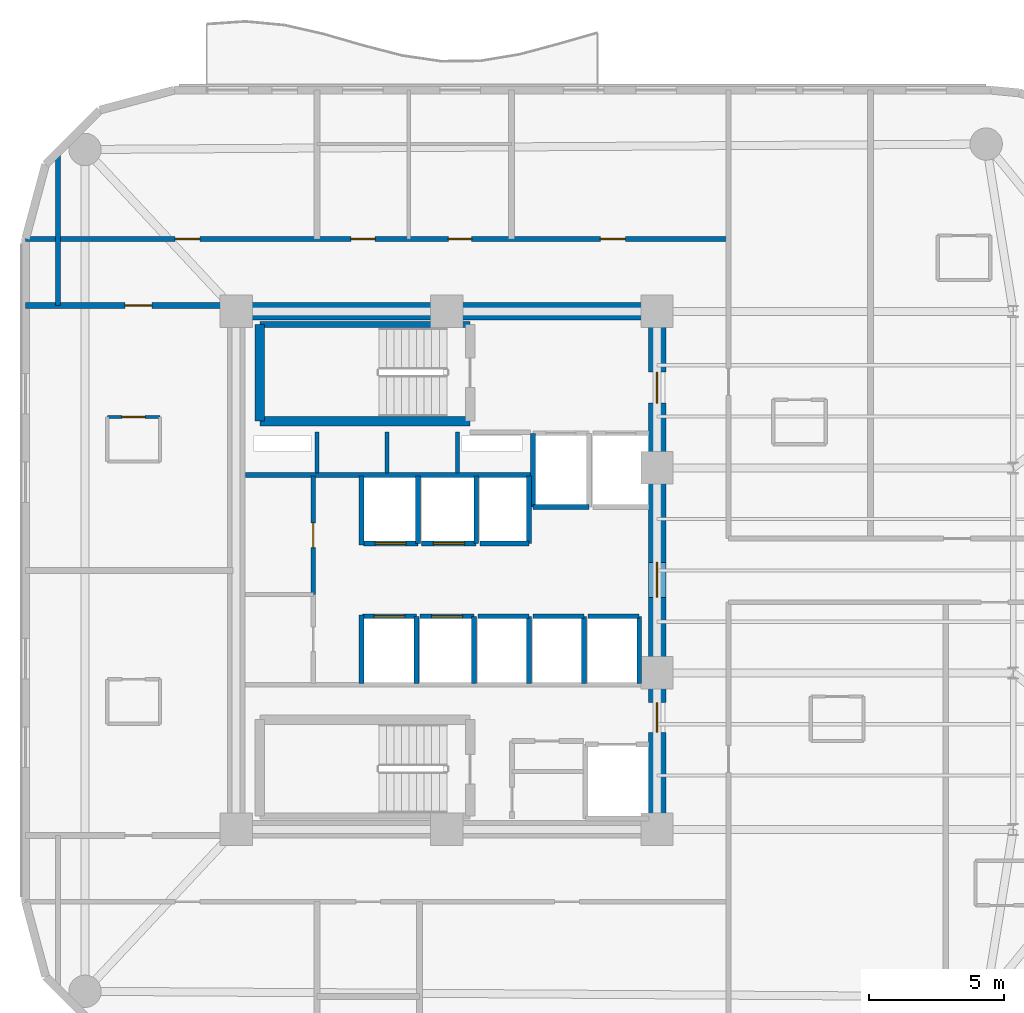
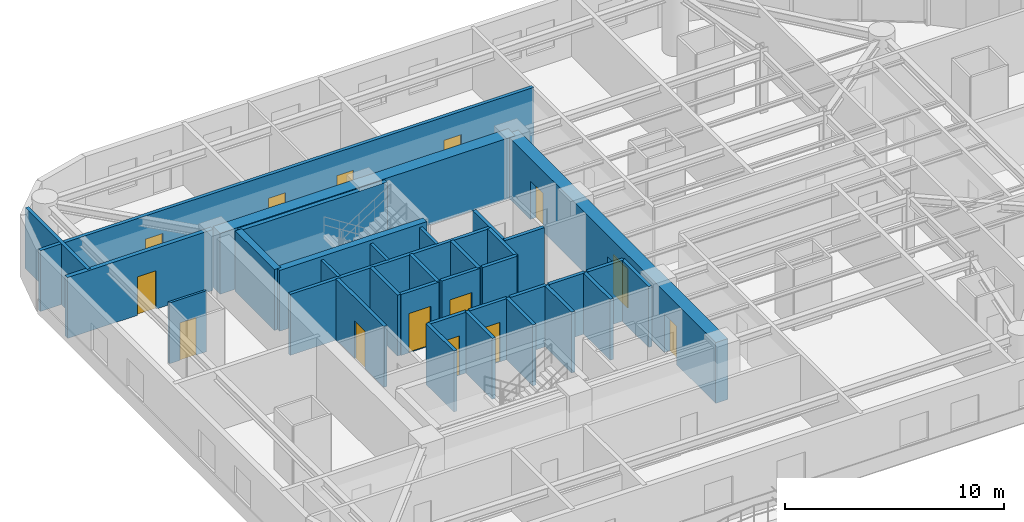
# One storey, part 11 of 15: 34 walls, 14 doors, 14 openings.
"""IFC4 building model written with IfcOpenShell, lengths in metres."""

import ifcopenshell
import ifcopenshell.guid

model = None  # the IFC model being written
_history = None  # IfcOwnerHistory: only IFC2X3 demands one
_inside = {}  # id of a spatial element -> (the spatial element, [elements in it])
_under = {}  # id of a project, library or spatial element -> (it, [spatial elements below it])
_declared = {}  # id of a project -> (the project, [libraries it declares])
_typed = {}  # id of a type object -> (the type object, [elements of that type])
_made_of = {}  # id of a material, layer set ... -> (it, [elements and type objects made of it])


def new_model(schema):
    """Start an empty IFC model of exactly this schema.

    Asked for "IFC4X3", IfcOpenShell would pick the latest addendum, in which some entities
    have other attributes; the version numbers below select the first issue.
    IFC2X3 requires an IfcOwnerHistory on every rooted entity: one is made here for all.
    """
    global model, _history
    if schema == "IFC4X3":
        model = ifcopenshell.file(schema_version=(4, 3, 0, 0))
    else:
        model = ifcopenshell.file(schema=schema)
    _inside.clear()
    _under.clear()
    _declared.clear()
    _typed.clear()
    _made_of.clear()
    _history = None
    if model.schema == "IFC2X3":
        org = make("IfcOrganization", Name="unknown")
        user = make(
            "IfcPersonAndOrganization",
            ThePerson=make("IfcPerson", FamilyName="unknown"),
            TheOrganization=org,
        )
        app = make(
            "IfcApplication",
            ApplicationDeveloper=org,
            Version="unknown",
            ApplicationFullName="unknown",
            ApplicationIdentifier="unknown",
        )
        _history = make(
            "IfcOwnerHistory",
            OwningUser=user,
            OwningApplication=app,
            ChangeAction="ADDED",
            CreationDate=0,
        )
    return model


def make(cls, **values):
    """One entity of the class cls with the attributes given. An attribute that is None is left unset."""
    return model.create_entity(
        cls, **{name: value for name, value in values.items() if value is not None}
    )


def rooted(cls, **values):
    """An entity with a GlobalId (a new one), such as an element, a storey or a relation."""
    return make(cls, GlobalId=ifcopenshell.guid.new(), OwnerHistory=_history, **values)


def si_unit(unit_type, name, prefix=None):
    """IfcSIUnit, for example si_unit("LENGTHUNIT", "METRE", prefix="MILLI")."""
    return make("IfcSIUnit", UnitType=unit_type, Prefix=prefix, Name=name)


def assignment(units):
    """IfcUnitAssignment: the units of a project."""
    return None if units is None else make("IfcUnitAssignment", Units=units)


def point(xyz):
    """IfcCartesianPoint."""
    return None if xyz is None else make("IfcCartesianPoint", Coordinates=xyz)


def direction(xyz):
    """IfcDirection."""
    return None if xyz is None else make("IfcDirection", DirectionRatios=xyz)


def frame(location, z_axis=None, x_axis=None):
    """IfcAxis2Placement3D, a coordinate frame: its origin and axes. An axis left out is left unset."""
    return make(
        "IfcAxis2Placement3D",
        Location=point(location),
        Axis=direction(z_axis),
        RefDirection=direction(x_axis),
    )


def frame_2d(location, x_axis=None):
    """IfcAxis2Placement2D, a coordinate frame in the plane: its origin and x axis."""
    return make(
        "IfcAxis2Placement2D", Location=point(location), RefDirection=direction(x_axis)
    )


def origin():
    """The frame at (0, 0, 0) with its axes left unset."""
    return frame((0.0, 0.0, 0.0))


def place(relative_to, where):
    """IfcLocalPlacement: puts the frame where relative to a parent placement (None: the world)."""
    return make(
        "IfcLocalPlacement", PlacementRelTo=relative_to, RelativePlacement=where
    )


def context(
    kind, dimensions, precision=None, world=None, true_north=None, identifier=None
):
    """IfcGeometricRepresentationContext, for example the 3D "Model" context."""
    return make(
        "IfcGeometricRepresentationContext",
        ContextIdentifier=identifier,
        ContextType=kind,
        CoordinateSpaceDimension=dimensions,
        Precision=precision,
        WorldCoordinateSystem=world,
        TrueNorth=true_north,
    )


def subcontext(parent, identifier, kind, view, scale=None):
    """IfcGeometricRepresentationSubContext, for example "Body" below "Model"."""
    return make(
        "IfcGeometricRepresentationSubContext",
        ContextIdentifier=identifier,
        ContextType=kind,
        ParentContext=parent,
        TargetScale=scale,
        TargetView=view,
    )


def project(units=None, contexts=None):
    """IfcProject with its units and contexts."""
    return rooted(
        "IfcProject",
        Name="project",
        RepresentationContexts=contexts,
        UnitsInContext=assignment(units),
    )


def spatial(cls, under=None, at=None, **own):
    """A site, building, storey or space (cls), placed at a placement, below another one or the project."""
    s = rooted(cls, ObjectPlacement=at, **own)
    if under is not None:
        _under.setdefault(under.id(), (under, []))[1].append(s)
    return s


def profile(cls, at=None, kind="AREA", **sizes):
    """A parametric profile (cls). Its sizes go by their IFC names, for example OverallWidth=200.0."""
    return make(cls, ProfileType=kind, Position=at, **sizes)


def rectangle(**sizes):
    """IfcRectangleProfileDef."""
    return profile("IfcRectangleProfileDef", **sizes)


def extrude(swept, where, along, depth):
    """IfcExtrudedAreaSolid: the profile swept, set in the frame where, extruded along a direction by depth."""
    return make(
        "IfcExtrudedAreaSolid",
        SweptArea=swept,
        Position=where,
        ExtrudedDirection=direction(along),
        Depth=depth,
    )


def shape(context_of_items, identifier, shape_type, items):
    """IfcShapeRepresentation: the items that make up one representation, for example the "Body"."""
    return make(
        "IfcShapeRepresentation",
        ContextOfItems=context_of_items,
        RepresentationIdentifier=identifier,
        RepresentationType=shape_type,
        Items=items,
    )


def material(Name=None, Category=None):
    """IfcMaterial."""
    return make("IfcMaterial", Name=Name, Category=Category)


def layer(
    of_material, thickness, ventilated=None, Name=None, Category=None, Priority=None
):
    """IfcMaterialLayer: one layer of a wall or slab, of a material (None: an air gap)."""
    return make(
        "IfcMaterialLayer",
        Material=of_material,
        LayerThickness=thickness,
        IsVentilated=ventilated,
        Name=Name,
        Category=Category,
        Priority=Priority,
    )


def layer_set(layers, Name=None):
    """IfcMaterialLayerSet."""
    return make("IfcMaterialLayerSet", MaterialLayers=layers, LayerSetName=Name)


def made_of(thing, what):
    """Note that an element or type object is made of a material, layer set ...; save() writes the relation."""
    if what is not None:
        _made_of.setdefault(what.id(), (what, []))[1].append(thing)
    return thing


def type_object(cls, material=None, **own):
    """A type object (cls), such as IfcWallType, which elements share."""
    return made_of(rooted(cls, **own), material)


def element(
    cls,
    number,
    at=None,
    inside=None,
    cuts=None,
    type_object=None,
    material=None,
    context=None,
    identifier="Body",
    shape_type=None,
    held_by="IfcProductDefinitionShape",
    body=None,
    shapes=None,
    **own,
):
    """One element of the class cls, such as IfcWall. Its Tag is "e" and its number.

    at: its placement. inside: the storey or other place that contains it. cuts: it is an
    opening in that element (IfcRelVoidsElement). A single representation is given by context,
    identifier, shape_type and body (its items); several are given by shapes. held_by: the class
    of the entity that holds the representations. save() writes the other relations.
    """
    e = rooted(cls, Tag="e%d" % number, ObjectPlacement=at, **own)
    if body is not None:
        shapes = [shape(context, identifier, shape_type, body)]
    if shapes is not None:
        e.Representation = make(held_by, Representations=shapes)
    if inside is not None:
        _inside.setdefault(inside.id(), (inside, []))[1].append(e)
    if cuts is not None:
        rooted(
            "IfcRelVoidsElement", RelatingBuildingElement=cuts, RelatedOpeningElement=e
        )
    if type_object is not None:
        _typed.setdefault(type_object.id(), (type_object, []))[1].append(e)
    return made_of(e, material)


def fill(opening, filler):
    """IfcRelFillsElement: the door or window that sits in an opening."""
    return rooted(
        "IfcRelFillsElement",
        RelatingOpeningElement=opening,
        RelatedBuildingElement=filler,
    )


def aggregate(whole, parts):
    """IfcRelAggregates: a whole, such as a stair, and the parts it consists of."""
    return rooted("IfcRelAggregates", RelatingObject=whole, RelatedObjects=parts)


def save(model, path):
    """Write the relations noted so far, then the file.

    IfcRelAggregates (storeys below a building ...), IfcRelContainedInSpatialStructure (elements
    in a storey), IfcRelDefinesByType, IfcRelAssociatesMaterial and IfcRelDeclares: one each for
    every whole, place, type object, material and project.
    """
    for whole, parts in _under.values():
        aggregate(whole, parts)
    for where, things in _inside.values():
        rooted(
            "IfcRelContainedInSpatialStructure",
            RelatedElements=things,
            RelatingStructure=where,
        )
    for kind, things in _typed.values():
        rooted("IfcRelDefinesByType", RelatedObjects=things, RelatingType=kind)
    for what, things in _made_of.values():
        rooted("IfcRelAssociatesMaterial", RelatedObjects=things, RelatingMaterial=what)
    for by, libraries in _declared.values():
        rooted("IfcRelDeclares", RelatingContext=by, RelatedDefinitions=libraries)
    model.write(path)


model = new_model("IFC4")

# Units and contexts
model_context = context("Model", 3, precision=1e-05, world=origin(), true_north=direction((0.0, 1.0)))
body_context = subcontext(model_context, "Body", "Model", "MODEL_VIEW")
ifc_project = project(units=[si_unit("LENGTHUNIT", "METRE"), si_unit("AREAUNIT", "SQUARE_METRE"), si_unit("VOLUMEUNIT", "CUBIC_METRE"), si_unit("PLANEANGLEUNIT", "RADIAN"), si_unit("MASSUNIT", "GRAM", prefix="KILO")], contexts=[model_context])

# Site, building, storey
site_placement = place(None, origin())
site = spatial("IfcSite", under=ifc_project, at=site_placement, CompositionType="ELEMENT")
building_placement = place(site_placement, origin())
building = spatial("IfcBuilding", under=site, at=building_placement, Name="An Khanh Terracotta Commons", CompositionType="ELEMENT")
storey_placement = place(building_placement, frame((0.0, 0.0, 147.39990234375)))
storey = spatial("IfcBuildingStorey", under=building, at=storey_placement, Name="L38", CompositionType="ELEMENT", Elevation=147.39990234375)

# Wall
ifc_material_1 = material(Name="Concrete C60/75", Category="concrete")
ifc_layer_1 = layer(ifc_material_1, 0.64990234375, Name="Concrete C60/75")
ifc_layer_set_1 = layer_set([ifc_layer_1], Name="Concrete C60/75")
wall_type_1 = type_object("IfcWallType", Name="WALL-CORE-650", PredefinedType="SHEAR", material=ifc_layer_set_1)
wall_1_placement = place(storey_placement, frame((21.60009765625, 33.60009765625, 0.0), z_axis=(0.0, 0.0, 1.0), x_axis=(1.0, 0.0, 0.0)))
element("IfcWall", 1, at=wall_1_placement, inside=storey, type_object=wall_type_1, Name="L38 Core Wall CWALL-L38-N", PredefinedType="SHEAR", context=body_context, shape_type="SweptSolid", body=[
    extrude(rectangle(XDim=15.599853515625, YDim=0.64990234375, at=frame_2d((7.7998046875, 0.0))), origin(), (0.0, 0.0, 1.0), 3.400146484375),
])

# Wall, openings, doors
wall_2_placement = place(storey_placement, frame((37.199951171875, 14.39990234375, 0.0), z_axis=(0.0, 0.0, 1.0), x_axis=(0.0, 1.0, 0.0)))
wall_2 = element("IfcWall", 2, at=wall_2_placement, inside=storey, type_object=wall_type_1, Name="L38 Core Wall CWALL-L38-E", PredefinedType="SHEAR", context=body_context, shape_type="SweptSolid", body=[
    extrude(rectangle(XDim=19.2001953125, YDim=0.64990234375, at=frame_2d((9.60009765625, 0.0))), origin(), (0.0, 0.0, 1.0), 3.400146484375),
])
opening_1_placement = place(wall_2_placement, frame((15.800048828125, 0.0, 0.0)))
opening_1 = element("IfcOpeningElement", 3, at=opening_1_placement, cuts=wall_2, Name="Opening D-FFL", PredefinedType="OPENING", context=body_context, shape_type="SweptSolid", body=[
    extrude(rectangle(XDim=1.14990234375, YDim=2.14990234375, at=frame_2d((0.574951171875, 1.074951171875))), frame((0.0, 0.3349609375, 0.0), z_axis=(0.0, -1.0, 0.0), x_axis=(1.0, 0.0, 0.0)), (0.0, 0.0, 1.0), 0.669921875),
])
opening_2_placement = place(wall_2_placement, frame((3.60009765625, 0.0, 0.0)))
opening_2 = element("IfcOpeningElement", 4, at=opening_2_placement, cuts=wall_2, Name="Opening D-ST", PredefinedType="OPENING", context=body_context, shape_type="SweptSolid", body=[
    extrude(rectangle(XDim=1.10009765625, YDim=2.14990234375, at=frame_2d((0.550048828125, 1.074951171875))), frame((0.0, 0.3349609375, 0.0), z_axis=(0.0, -1.0, 0.0), x_axis=(1.0, 0.0, 0.0)), (0.0, 0.0, 1.0), 0.669921875),
])
opening_3_placement = place(wall_2_placement, frame((8.60009765625, 0.0, 0.0)))
opening_3 = element("IfcOpeningElement", 5, at=opening_3_placement, cuts=wall_2, Name="Opening D-COR", PredefinedType="OPENING", context=body_context, shape_type="SweptSolid", body=[
    extrude(rectangle(XDim=1.300048828125, YDim=2.199951171875, at=frame_2d((0.64990234375, 1.10009765625))), frame((0.0, 0.3349609375, 0.0), z_axis=(0.0, -1.0, 0.0), x_axis=(1.0, 0.0, 0.0)), (0.0, 0.0, 1.0), 0.669921875),
])
ifc_material_2 = material(Name="Fire-Rated Glazed Steel Double Door", Category="steel")
door_type_1 = type_object("IfcDoorType", Name="DOOR-CORR-1300", OperationType="NOTDEFINED", PredefinedType="DOOR", material=ifc_material_2)
door_1_placement = place(opening_3_placement, origin())
door_1 = element("IfcDoor", 6, at=door_1_placement, inside=storey, type_object=door_type_1, Name="L38 Passenger Lift Lobby Double Door", OperationType="DOUBLE_DOOR_SINGLE_SWING", OverallHeight=2.199951171875, OverallWidth=1.300048828125, PredefinedType="DOOR", context=body_context, shape_type="SweptSolid", body=[
    extrude(rectangle(XDim=1.300048828125, YDim=2.199951171875, at=frame_2d((0.64990234375, 1.10009765625))), frame((0.0, 0.02490234375, 0.0), z_axis=(0.0, -1.0, 0.0), x_axis=(1.0, 0.0, 0.0)), (0.0, 0.0, 1.0), 0.050048828125),
])
fill(opening_3, door_1)
ifc_material_3 = material(Name="Fire-Rated Steel Leaf and Vision Panel", Category="steel")
door_type_2 = type_object("IfcDoorType", Name="DOOR-FFL-1150", OperationType="NOTDEFINED", PredefinedType="DOOR", material=ifc_material_3)
door_2_placement = place(opening_1_placement, origin())
door_2 = element("IfcDoor", 7, at=door_2_placement, inside=storey, type_object=door_type_2, Name="L38 Firefighting Lift Lobby Fire Door", OperationType="SINGLE_SWING_LEFT", OverallHeight=2.14990234375, OverallWidth=1.14990234375, PredefinedType="DOOR", context=body_context, shape_type="SweptSolid", body=[
    extrude(rectangle(XDim=1.14990234375, YDim=2.14990234375, at=frame_2d((0.574951171875, 1.074951171875))), frame((0.0, 0.02490234375, 0.0), z_axis=(0.0, -1.0, 0.0), x_axis=(1.0, 0.0, 0.0)), (0.0, 0.0, 1.0), 0.050048828125),
])
fill(opening_1, door_2)
ifc_material_4 = material(Name="Fire-Rated Steel Leaf and Frame", Category="steel")
door_type_3 = type_object("IfcDoorType", Name="DOOR-STAIR-1100", OperationType="NOTDEFINED", PredefinedType="DOOR", material=ifc_material_4)
door_3_placement = place(opening_2_placement, origin())
door_3 = element("IfcDoor", 8, at=door_3_placement, inside=storey, type_object=door_type_3, Name="L38 South Stair Lobby Fire Door", OperationType="SINGLE_SWING_RIGHT", OverallHeight=2.14990234375, OverallWidth=1.10009765625, PredefinedType="DOOR", context=body_context, shape_type="SweptSolid", body=[
    extrude(rectangle(XDim=1.10009765625, YDim=2.14990234375, at=frame_2d((0.550048828125, 1.074951171875))), frame((0.0, 0.02490234375, 0.0), z_axis=(0.0, -1.0, 0.0), x_axis=(1.0, 0.0, 0.0)), (0.0, 0.0, 1.0), 0.050048828125),
])
fill(opening_2, door_3)

# Walls
ifc_material_5 = material(Name="Fire-Rated Gypsum Board on Steel Stud", Category="steel")
ifc_layer_2 = layer(ifc_material_5, 0.179931640625, Name="Fire-Rated Gypsum Board on Steel Stud")
ifc_layer_set_2 = layer_set([ifc_layer_2], Name="Fire-Rated Gypsum Board on Steel Stud")
wall_type_2 = type_object("IfcWallType", Name="WALL-CORR-180", PredefinedType="PARTITIONING", material=ifc_layer_set_2)
wall_3_placement = place(storey_placement, frame((21.949951171875, 27.5400390625, 0.0), z_axis=(0.0, 0.0, 1.0), x_axis=(1.0, 0.0, 0.0)))
element("IfcWall", 9, at=wall_3_placement, inside=storey, type_object=wall_type_2, Name="L38 Core Wall RSRW-L38-S", PredefinedType="PARTITIONING", context=body_context, shape_type="SweptSolid", body=[
    extrude(rectangle(XDim=10.56005859375, YDim=0.179931640625, at=frame_2d((5.280029296875, 0.0))), origin(), (0.0, 0.0, 1.0), 3.400146484375),
])
wall_4_placement = place(storey_placement, frame((34.679931640625, 26.35009765625, 0.0), z_axis=(0.0, 0.0, 1.0), x_axis=(-1.0, 0.0, 0.0)))
element("IfcWall", 10, at=wall_4_placement, inside=storey, type_object=wall_type_2, Name="L38 Core Wall LSH-L38-FFL-01-S", PredefinedType="PARTITIONING", context=body_context, shape_type="SweptSolid", body=[
    extrude(rectangle(XDim=2.079833984375, YDim=0.179931640625, at=frame_2d((1.0400390625, 0.0))), origin(), (0.0, 0.0, 1.0), 3.400146484375),
])
wall_5_placement = place(storey_placement, frame((32.60009765625, 29.080078125, 0.0), z_axis=(0.0, 0.0, 1.0), x_axis=(0.0, -1.0, 0.0)))
element("IfcWall", 11, at=wall_5_placement, inside=storey, type_object=wall_type_2, Name="L38 Core Wall LSH-L38-FFL-01-W", PredefinedType="PARTITIONING", context=body_context, shape_type="SweptSolid", body=[
    extrude(rectangle(XDim=2.72998046875, YDim=0.179931640625, at=frame_2d((1.364990234375, 0.0))), origin(), (0.0, 0.0, 1.0), 3.400146484375),
])

# Wall, opening, door
wall_6_placement = place(storey_placement, frame((28.340087890625, 25.0, 0.0), z_axis=(0.0, 0.0, 1.0), x_axis=(-1.0, 0.0, 0.0)))
wall_6 = element("IfcWall", 12, at=wall_6_placement, inside=storey, type_object=wall_type_2, Name="L38 Core Wall LSH-L38-PL-M1-S", PredefinedType="PARTITIONING", context=body_context, shape_type="SweptSolid", body=[
    extrude(rectangle(XDim=2.02001953125, YDim=0.179931640625, at=frame_2d((1.010009765625, 0.0))), origin(), (0.0, 0.0, 1.0), 3.400146484375),
])
opening_4_placement = place(wall_6_placement, frame((0.43505859375, 0.0, 0.0)))
opening_4 = element("IfcOpeningElement", 13, at=opening_4_placement, cuts=wall_6, Name="Opening LD-PL-M1-L38", PredefinedType="OPENING", context=body_context, shape_type="SweptSolid", body=[
    extrude(rectangle(XDim=1.14990234375, YDim=2.199951171875, at=frame_2d((0.574951171875, 1.10009765625))), frame((0.0, 0.099853515625, 0.0), z_axis=(0.0, -1.0, 0.0), x_axis=(1.0, 0.0, 0.0)), (0.0, 0.0, 1.0), 0.199951171875),
])
ifc_material_6 = material(Name="Brushed Stainless Steel Passenger Landing Door", Category="steel")
door_type_4 = type_object("IfcDoorType", Name="DOOR-LD-PAX-1150", OperationType="NOTDEFINED", PredefinedType="DOOR", material=ifc_material_6)
door_4_placement = place(opening_4_placement, origin())
door_4 = element("IfcDoor", 14, at=door_4_placement, inside=storey, type_object=door_type_4, Name="L38 Lift PL-M1 Sliding Landing Door", OperationType="DOUBLE_DOOR_SLIDING", OverallHeight=2.199951171875, OverallWidth=1.14990234375, PredefinedType="DOOR", context=body_context, shape_type="SweptSolid", body=[
    extrude(rectangle(XDim=1.14990234375, YDim=2.199951171875, at=frame_2d((0.574951171875, 1.10009765625))), frame((0.0, 0.02490234375, 0.0), z_axis=(0.0, -1.0, 0.0), x_axis=(1.0, 0.0, 0.0)), (0.0, 0.0, 1.0), 0.050048828125),
])
fill(opening_4, door_4)

# Wall
wall_7_placement = place(storey_placement, frame((28.340087890625, 25.0, 0.0), z_axis=(0.0, 0.0, 1.0), x_axis=(0.0, 1.0, 0.0)))
element("IfcWall", 15, at=wall_7_placement, inside=storey, type_object=wall_type_2, Name="L38 Core Wall LSH-L38-PL-M1-E", PredefinedType="PARTITIONING", context=body_context, shape_type="SweptSolid", body=[
    extrude(rectangle(XDim=2.5, YDim=0.179931640625, at=frame_2d((1.25, 0.0))), origin(), (0.0, 0.0, 1.0), 3.400146484375),
])

# Wall, opening, door
wall_8_placement = place(storey_placement, frame((30.5, 25.0, 0.0), z_axis=(0.0, 0.0, 1.0), x_axis=(-1.0, 0.0, 0.0)))
wall_8 = element("IfcWall", 16, at=wall_8_placement, inside=storey, type_object=wall_type_2, Name="L38 Core Wall LSH-L38-PL-M2-S", PredefinedType="PARTITIONING", context=body_context, shape_type="SweptSolid", body=[
    extrude(rectangle(XDim=2.02001953125, YDim=0.179931640625, at=frame_2d((1.010009765625, 0.0))), origin(), (0.0, 0.0, 1.0), 3.400146484375),
])
opening_5_placement = place(wall_8_placement, frame((0.43505859375, 0.0, 0.0)))
opening_5 = element("IfcOpeningElement", 17, at=opening_5_placement, cuts=wall_8, Name="Opening LD-PL-M2-L38", PredefinedType="OPENING", context=body_context, shape_type="SweptSolid", body=[
    extrude(rectangle(XDim=1.14990234375, YDim=2.199951171875, at=frame_2d((0.574951171875, 1.10009765625))), frame((0.0, 0.099853515625, 0.0), z_axis=(0.0, -1.0, 0.0), x_axis=(1.0, 0.0, 0.0)), (0.0, 0.0, 1.0), 0.199951171875),
])
door_5_placement = place(opening_5_placement, origin())
door_5 = element("IfcDoor", 18, at=door_5_placement, inside=storey, type_object=door_type_4, Name="L38 Lift PL-M2 Sliding Landing Door", OperationType="DOUBLE_DOOR_SLIDING", OverallHeight=2.199951171875, OverallWidth=1.14990234375, PredefinedType="DOOR", context=body_context, shape_type="SweptSolid", body=[
    extrude(rectangle(XDim=1.14990234375, YDim=2.199951171875, at=frame_2d((0.574951171875, 1.10009765625))), frame((0.0, 0.02490234375, 0.0), z_axis=(0.0, -1.0, 0.0), x_axis=(1.0, 0.0, 0.0)), (0.0, 0.0, 1.0), 0.050048828125),
])
fill(opening_5, door_5)

# Wall
wall_9_placement = place(storey_placement, frame((30.5, 25.0, 0.0), z_axis=(0.0, 0.0, 1.0), x_axis=(0.0, 1.0, 0.0)))
element("IfcWall", 19, at=wall_9_placement, inside=storey, type_object=wall_type_2, Name="L38 Core Wall LSH-L38-PL-M2-E", PredefinedType="PARTITIONING", context=body_context, shape_type="SweptSolid", body=[
    extrude(rectangle(XDim=2.5, YDim=0.179931640625, at=frame_2d((1.25, 0.0))), origin(), (0.0, 0.0, 1.0), 3.400146484375),
])

# Wall, opening, door
wall_10_placement = place(storey_placement, frame((26.280029296875, 22.300048828125, 0.0), z_axis=(0.0, 0.0, 1.0), x_axis=(1.0, 0.0, 0.0)))
wall_10 = element("IfcWall", 20, at=wall_10_placement, inside=storey, type_object=wall_type_2, Name="L38 Core Wall LSH-L38-PL-M3-N", PredefinedType="PARTITIONING", context=body_context, shape_type="SweptSolid", body=[
    extrude(rectangle(XDim=2.0, YDim=0.179931640625, at=frame_2d((1.0, 0.0))), origin(), (0.0, 0.0, 1.0), 3.400146484375),
])
opening_6_placement = place(wall_10_placement, frame((0.425048828125, 0.0, 0.0)))
opening_6 = element("IfcOpeningElement", 21, at=opening_6_placement, cuts=wall_10, Name="Opening LD-PL-M3-L38", PredefinedType="OPENING", context=body_context, shape_type="SweptSolid", body=[
    extrude(rectangle(XDim=1.14990234375, YDim=2.199951171875, at=frame_2d((0.574951171875, 1.10009765625))), frame((0.0, 0.099853515625, 0.0), z_axis=(0.0, -1.0, 0.0), x_axis=(1.0, 0.0, 0.0)), (0.0, 0.0, 1.0), 0.199951171875),
])
door_6_placement = place(opening_6_placement, origin())
door_6 = element("IfcDoor", 22, at=door_6_placement, inside=storey, type_object=door_type_4, Name="L38 Lift PL-M3 Sliding Landing Door", OperationType="DOUBLE_DOOR_SLIDING", OverallHeight=2.199951171875, OverallWidth=1.14990234375, PredefinedType="DOOR", context=body_context, shape_type="SweptSolid", body=[
    extrude(rectangle(XDim=1.14990234375, YDim=2.199951171875, at=frame_2d((0.574951171875, 1.10009765625))), frame((0.0, 0.02490234375, 0.0), z_axis=(0.0, -1.0, 0.0), x_axis=(1.0, 0.0, 0.0)), (0.0, 0.0, 1.0), 0.050048828125),
])
fill(opening_6, door_6)

# Wall
wall_11_placement = place(storey_placement, frame((28.280029296875, 19.800048828125, 0.0), z_axis=(0.0, 0.0, 1.0), x_axis=(0.0, 1.0, 0.0)))
element("IfcWall", 23, at=wall_11_placement, inside=storey, type_object=wall_type_2, Name="L38 Core Wall LSH-L38-PL-M3-E", PredefinedType="PARTITIONING", context=body_context, shape_type="SweptSolid", body=[
    extrude(rectangle(XDim=2.5, YDim=0.179931640625, at=frame_2d((1.25, 0.0))), origin(), (0.0, 0.0, 1.0), 3.400146484375),
])

# Wall, opening, door
wall_12_placement = place(storey_placement, frame((28.419921875, 22.300048828125, 0.0), z_axis=(0.0, 0.0, 1.0), x_axis=(1.0, 0.0, 0.0)))
wall_12 = element("IfcWall", 24, at=wall_12_placement, inside=storey, type_object=wall_type_2, Name="L38 Core Wall LSH-L38-PL-M4-N", PredefinedType="PARTITIONING", context=body_context, shape_type="SweptSolid", body=[
    extrude(rectangle(XDim=2.0, YDim=0.179931640625, at=frame_2d((1.0, 0.0))), origin(), (0.0, 0.0, 1.0), 3.400146484375),
])
opening_7_placement = place(wall_12_placement, frame((0.425048828125, 0.0, 0.0)))
opening_7 = element("IfcOpeningElement", 25, at=opening_7_placement, cuts=wall_12, Name="Opening LD-PL-M4-L38", PredefinedType="OPENING", context=body_context, shape_type="SweptSolid", body=[
    extrude(rectangle(XDim=1.14990234375, YDim=2.199951171875, at=frame_2d((0.574951171875, 1.10009765625))), frame((0.0, 0.099853515625, 0.0), z_axis=(0.0, -1.0, 0.0), x_axis=(1.0, 0.0, 0.0)), (0.0, 0.0, 1.0), 0.199951171875),
])
door_7_placement = place(opening_7_placement, origin())
door_7 = element("IfcDoor", 26, at=door_7_placement, inside=storey, type_object=door_type_4, Name="L38 Lift PL-M4 Sliding Landing Door", OperationType="DOUBLE_DOOR_SLIDING", OverallHeight=2.199951171875, OverallWidth=1.14990234375, PredefinedType="DOOR", context=body_context, shape_type="SweptSolid", body=[
    extrude(rectangle(XDim=1.14990234375, YDim=2.199951171875, at=frame_2d((0.574951171875, 1.10009765625))), frame((0.0, 0.02490234375, 0.0), z_axis=(0.0, -1.0, 0.0), x_axis=(1.0, 0.0, 0.0)), (0.0, 0.0, 1.0), 0.050048828125),
])
fill(opening_7, door_7)

# Walls
wall_13_placement = place(storey_placement, frame((30.419921875, 19.800048828125, 0.0), z_axis=(0.0, 0.0, 1.0), x_axis=(0.0, 1.0, 0.0)))
element("IfcWall", 27, at=wall_13_placement, inside=storey, type_object=wall_type_2, Name="L38 Core Wall LSH-L38-PL-M4-E", PredefinedType="PARTITIONING", context=body_context, shape_type="SweptSolid", body=[
    extrude(rectangle(XDim=2.5, YDim=0.179931640625, at=frame_2d((1.25, 0.0))), origin(), (0.0, 0.0, 1.0), 3.400146484375),
])
wall_14_placement = place(storey_placement, frame((32.4599609375, 25.0, 0.0), z_axis=(0.0, 0.0, 1.0), x_axis=(-1.0, 0.0, 0.0)))
element("IfcWall", 28, at=wall_14_placement, inside=storey, type_object=wall_type_2, Name="L38 Core Wall LSH-L38-PL-H1-S", PredefinedType="PARTITIONING", context=body_context, shape_type="SweptSolid", body=[
    extrude(rectangle(XDim=1.820068359375, YDim=0.179931640625, at=frame_2d((0.91015625, 0.0))), origin(), (0.0, 0.0, 1.0), 3.400146484375),
])
wall_15_placement = place(storey_placement, frame((32.4599609375, 25.0, 0.0), z_axis=(0.0, 0.0, 1.0), x_axis=(0.0, 1.0, 0.0)))
element("IfcWall", 29, at=wall_15_placement, inside=storey, type_object=wall_type_2, Name="L38 Core Wall LSH-L38-PL-H1-E", PredefinedType="PARTITIONING", context=body_context, shape_type="SweptSolid", body=[
    extrude(rectangle(XDim=2.5, YDim=0.179931640625, at=frame_2d((1.25, 0.0))), origin(), (0.0, 0.0, 1.0), 3.400146484375),
])
wall_16_placement = place(storey_placement, frame((30.56005859375, 22.300048828125, 0.0), z_axis=(0.0, 0.0, 1.0), x_axis=(1.0, 0.0, 0.0)))
element("IfcWall", 30, at=wall_16_placement, inside=storey, type_object=wall_type_2, Name="L38 Core Wall LSH-L38-PL-H2-N", PredefinedType="PARTITIONING", context=body_context, shape_type="SweptSolid", body=[
    extrude(rectangle(XDim=1.89990234375, YDim=0.179931640625, at=frame_2d((0.949951171875, 0.0))), origin(), (0.0, 0.0, 1.0), 3.400146484375),
])
wall_17_placement = place(storey_placement, frame((32.4599609375, 19.800048828125, 0.0), z_axis=(0.0, 0.0, 1.0), x_axis=(0.0, 1.0, 0.0)))
element("IfcWall", 31, at=wall_17_placement, inside=storey, type_object=wall_type_2, Name="L38 Core Wall LSH-L38-PL-H2-E", PredefinedType="PARTITIONING", context=body_context, shape_type="SweptSolid", body=[
    extrude(rectangle(XDim=2.5, YDim=0.179931640625, at=frame_2d((1.25, 0.0))), origin(), (0.0, 0.0, 1.0), 3.400146484375),
])
wall_18_placement = place(storey_placement, frame((32.60009765625, 22.300048828125, 0.0), z_axis=(0.0, 0.0, 1.0), x_axis=(1.0, 0.0, 0.0)))
element("IfcWall", 32, at=wall_18_placement, inside=storey, type_object=wall_type_2, Name="L38 Core Wall LSH-L38-PL-H3-N", PredefinedType="PARTITIONING", context=body_context, shape_type="SweptSolid", body=[
    extrude(rectangle(XDim=1.89990234375, YDim=0.179931640625, at=frame_2d((0.949951171875, 0.0))), origin(), (0.0, 0.0, 1.0), 3.400146484375),
])
wall_19_placement = place(storey_placement, frame((34.5, 19.800048828125, 0.0), z_axis=(0.0, 0.0, 1.0), x_axis=(0.0, 1.0, 0.0)))
element("IfcWall", 33, at=wall_19_placement, inside=storey, type_object=wall_type_2, Name="L38 Core Wall LSH-L38-PL-H3-E", PredefinedType="PARTITIONING", context=body_context, shape_type="SweptSolid", body=[
    extrude(rectangle(XDim=2.5, YDim=0.179931640625, at=frame_2d((1.25, 0.0))), origin(), (0.0, 0.0, 1.0), 3.400146484375),
])
wall_20_placement = place(storey_placement, frame((34.639892578125, 22.300048828125, 0.0), z_axis=(0.0, 0.0, 1.0), x_axis=(1.0, 0.0, 0.0)))
element("IfcWall", 34, at=wall_20_placement, inside=storey, type_object=wall_type_2, Name="L38 Core Wall LSH-L38-PL-H4-N", PredefinedType="PARTITIONING", context=body_context, shape_type="SweptSolid", body=[
    extrude(rectangle(XDim=1.900146484375, YDim=0.179931640625, at=frame_2d((0.9501953125, 0.0))), origin(), (0.0, 0.0, 1.0), 3.400146484375),
])
wall_21_placement = place(storey_placement, frame((36.5400390625, 19.800048828125, 0.0), z_axis=(0.0, 0.0, 1.0), x_axis=(0.0, 1.0, 0.0)))
element("IfcWall", 35, at=wall_21_placement, inside=storey, type_object=wall_type_2, Name="L38 Core Wall LSH-L38-PL-H4-E", PredefinedType="PARTITIONING", context=body_context, shape_type="SweptSolid", body=[
    extrude(rectangle(XDim=2.5, YDim=0.179931640625, at=frame_2d((1.25, 0.0))), origin(), (0.0, 0.0, 1.0), 3.400146484375),
])

# Wall, opening, door
wall_22_placement = place(storey_placement, frame((24.4599609375, 23.10009765625, 0.0), z_axis=(0.0, 0.0, 1.0), x_axis=(0.0, 1.0, 0.0)))
wall_22 = element("IfcWall", 36, at=wall_22_placement, inside=storey, type_object=wall_type_2, Name="L38 Core Wall RECW-L38-E1", PredefinedType="PARTITIONING", context=body_context, shape_type="SweptSolid", body=[
    extrude(rectangle(XDim=4.39990234375, YDim=0.179931640625, at=frame_2d((2.199951171875, 0.0))), origin(), (0.0, 0.0, 1.0), 3.400146484375),
])
opening_8_placement = place(wall_22_placement, frame((1.739990234375, 0.0, 0.0)))
opening_8 = element("IfcOpeningElement", 37, at=opening_8_placement, cuts=wall_22, Name="Opening D-RM", PredefinedType="OPENING", context=body_context, shape_type="SweptSolid", body=[
    extrude(rectangle(XDim=0.919921875, YDim=2.10009765625, at=frame_2d((0.4599609375, 1.050048828125))), frame((0.0, 0.099853515625, 0.0), z_axis=(0.0, -1.0, 0.0), x_axis=(1.0, 0.0, 0.0)), (0.0, 0.0, 1.0), 0.199951171875),
])
ifc_material_7 = material(Name="Engineered Hardwood Timber Leaf", Category="wood")
door_type_5 = type_object("IfcDoorType", Name="DOOR-INT-920", OperationType="NOTDEFINED", PredefinedType="DOOR", material=ifc_material_7)
door_8_placement = place(opening_8_placement, origin())
door_8 = element("IfcDoor", 38, at=door_8_placement, inside=storey, type_object=door_type_5, Name="L38 Housekeeping Linen Room Door", OperationType="SINGLE_SWING_LEFT", OverallHeight=2.10009765625, OverallWidth=0.919921875, PredefinedType="DOOR", context=body_context, shape_type="SweptSolid", body=[
    extrude(rectangle(XDim=0.919921875, YDim=2.10009765625, at=frame_2d((0.4599609375, 1.050048828125))), frame((0.0, 0.02490234375, 0.0), z_axis=(0.0, -1.0, 0.0), x_axis=(1.0, 0.0, 0.0)), (0.0, 0.0, 1.0), 0.050048828125),
])
fill(opening_8, door_8)

# Walls
for number, where, z_axis, x_axis, name in (
    (39, (26.25, 24.949951171875, 0.0), (0.0, 0.0, 1.0), (0.0, 1.0, 0.0), "L38 Core Wall RECW-L38-BE1"),
    (40, (26.25, 19.800048828125, 0.0), (0.0, 0.0, 1.0), (0.0, 1.0, 0.0), "L38 Core Wall RECW-L38-BE2"),
):
    element("IfcWall", number, at=place(storey_placement, frame(where, z_axis=z_axis, x_axis=x_axis)), inside=storey, type_object=wall_type_2, Name=name, PredefinedType="PARTITIONING", context=body_context, shape_type="SweptSolid", body=[
        extrude(rectangle(XDim=2.550048828125, YDim=0.179931640625, at=frame_2d((1.27490234375, 0.0))), origin(), (0.0, 0.0, 1.0), 3.400146484375),
    ])

# Wall, openings, doors
wall_23_placement = place(storey_placement, frame((13.800048828125, 36.280029296875, 0.0), z_axis=(0.0, 0.0, 1.0), x_axis=(1.0, 0.0, 0.0)))
wall_23 = element("IfcWall", 41, at=wall_23_placement, inside=storey, type_object=wall_type_2, Name="L38 Interior Partition IW-L38-E011", PredefinedType="PARTITIONING", context=body_context, shape_type="SweptSolid", body=[
    extrude(rectangle(XDim=26.050048828125, YDim=0.179931640625, at=frame_2d((13.02490234375, 0.0))), origin(), (0.0, 0.0, 1.0), 3.400146484375),
])
opening_9_placement = place(wall_23_placement, frame((12.050048828125, 0.0, 0.0)))
opening_9 = element("IfcOpeningElement", 42, at=opening_9_placement, cuts=wall_23, Name="Opening D-WC", PredefinedType="OPENING", context=body_context, shape_type="SweptSolid", body=[
    extrude(rectangle(XDim=0.89990234375, YDim=2.10009765625, at=frame_2d((0.449951171875, 1.050048828125))), frame((0.0, 0.099853515625, 0.0), z_axis=(0.0, -1.0, 0.0), x_axis=(1.0, 0.0, 0.0)), (0.0, 0.0, 1.0), 0.199951171875),
])
opening_10_placement = place(wall_23_placement, frame((15.669921875, 0.0, 0.0)))
opening_10 = element("IfcOpeningElement", 43, at=opening_10_placement, cuts=wall_23, Name="Opening D-ENS", PredefinedType="OPENING", context=body_context, shape_type="SweptSolid", body=[
    extrude(rectangle(XDim=0.860107421875, YDim=2.10009765625, at=frame_2d((0.43017578125, 1.050048828125))), frame((0.0, 0.099853515625, 0.0), z_axis=(0.0, -1.0, 0.0), x_axis=(1.0, 0.0, 0.0)), (0.0, 0.0, 1.0), 0.199951171875),
])
opening_11_placement = place(wall_23_placement, frame((5.5400390625, 0.0, 0.0)))
opening_11 = element("IfcOpeningElement", 44, at=opening_11_placement, cuts=wall_23, Name="Opening D-RM", PredefinedType="OPENING", context=body_context, shape_type="SweptSolid", body=[
    extrude(rectangle(XDim=0.919921875, YDim=2.10009765625, at=frame_2d((0.4599609375, 1.050048828125))), frame((0.0, 0.099853515625, 0.0), z_axis=(0.0, -1.0, 0.0), x_axis=(1.0, 0.0, 0.0)), (0.0, 0.0, 1.0), 0.199951171875),
])
opening_12_placement = place(wall_23_placement, frame((21.304931640625, 0.0, 0.0)))
opening_12 = element("IfcOpeningElement", 45, at=opening_12_placement, cuts=wall_23, Name="Opening D-RM", PredefinedType="OPENING", context=body_context, shape_type="SweptSolid", body=[
    extrude(rectangle(XDim=0.919921875, YDim=2.10009765625, at=frame_2d((0.4599609375, 1.050048828125))), frame((0.0, 0.099853515625, 0.0), z_axis=(0.0, -1.0, 0.0), x_axis=(1.0, 0.0, 0.0)), (0.0, 0.0, 1.0), 0.199951171875),
])
ifc_material_8 = material(Name="Moisture-Resistant Hardwood Timber Leaf", Category="wood")
door_type_6 = type_object("IfcDoorType", Name="DOOR-BATH-860", OperationType="NOTDEFINED", PredefinedType="DOOR", material=ifc_material_8)
door_9_placement = place(opening_10_placement, origin())
door_9 = element("IfcDoor", 46, at=door_9_placement, inside=storey, type_object=door_type_6, Name="L38 SHW Resident Shared Shower and Washroom Door", OperationType="SINGLE_SWING_LEFT", OverallHeight=2.10009765625, OverallWidth=0.860107421875, PredefinedType="DOOR", context=body_context, shape_type="SweptSolid", body=[
    extrude(rectangle(XDim=0.860107421875, YDim=2.10009765625, at=frame_2d((0.43017578125, 1.050048828125))), frame((0.0, 0.02490234375, 0.0), z_axis=(0.0, -1.0, 0.0), x_axis=(1.0, 0.0, 0.0)), (0.0, 0.0, 1.0), 0.050048828125),
])
fill(opening_10, door_9)
door_10_placement = place(opening_11_placement, origin())
door_10 = element("IfcDoor", 47, at=door_10_placement, inside=storey, type_object=door_type_5, Name="L38 NW1 Co-Living Master Bedroom Door", OperationType="SINGLE_SWING_LEFT", OverallHeight=2.10009765625, OverallWidth=0.919921875, PredefinedType="DOOR", context=body_context, shape_type="SweptSolid", body=[
    extrude(rectangle(XDim=0.919921875, YDim=2.10009765625, at=frame_2d((0.4599609375, 1.050048828125))), frame((0.0, 0.02490234375, 0.0), z_axis=(0.0, -1.0, 0.0), x_axis=(1.0, 0.0, 0.0)), (0.0, 0.0, 1.0), 0.050048828125),
])
fill(opening_11, door_10)
door_11_placement = place(opening_12_placement, origin())
door_11 = element("IfcDoor", 48, at=door_11_placement, inside=storey, type_object=door_type_5, Name="L38 NWE Co-Living Master Bedroom Door", OperationType="SINGLE_SWING_RIGHT", OverallHeight=2.10009765625, OverallWidth=0.919921875, PredefinedType="DOOR", context=body_context, shape_type="SweptSolid", body=[
    extrude(rectangle(XDim=0.919921875, YDim=2.10009765625, at=frame_2d((0.4599609375, 1.050048828125))), frame((0.0, 0.02490234375, 0.0), z_axis=(0.0, -1.0, 0.0), x_axis=(1.0, 0.0, 0.0)), (0.0, 0.0, 1.0), 0.050048828125),
])
fill(opening_12, door_11)
ifc_material_9 = material(Name="Laminate Moisture-Resistant Timber Leaf", Category="wood")
door_type_7 = type_object("IfcDoorType", Name="DOOR-WC-900", OperationType="NOTDEFINED", PredefinedType="DOOR", material=ifc_material_9)
door_12_placement = place(opening_9_placement, origin())
door_12 = element("IfcDoor", 49, at=door_12_placement, inside=storey, type_object=door_type_7, Name="L38 AWC Accessible WC Door", OperationType="SINGLE_SWING_RIGHT", OverallHeight=2.10009765625, OverallWidth=0.89990234375, PredefinedType="DOOR", context=body_context, shape_type="SweptSolid", body=[
    extrude(rectangle(XDim=0.89990234375, YDim=2.10009765625, at=frame_2d((0.449951171875, 1.050048828125))), frame((0.0, 0.02490234375, 0.0), z_axis=(0.0, -1.0, 0.0), x_axis=(1.0, 0.0, 0.0)), (0.0, 0.0, 1.0), 0.050048828125),
])
fill(opening_9, door_12)

# Walls
wall_24_placement = place(storey_placement, frame((15.0, 33.820068359375, 0.0), z_axis=(0.0, 0.0, 1.0), x_axis=(0.0, 1.0, 0.0)))
element("IfcWall", 50, at=wall_24_placement, inside=storey, type_object=wall_type_2, Name="L38 Interior Partition IW-L38-E014", PredefinedType="PARTITIONING", context=body_context, shape_type="SweptSolid", body=[
    extrude(rectangle(XDim=5.69287109375, YDim=0.179931640625, at=frame_2d((2.846435546875, 0.0))), origin(), (0.0, 0.0, 1.0), 3.400146484375),
])
ifc_material_10 = material(Name="Acoustic Gypsum Board Partition")
ifc_layer_3 = layer(ifc_material_10, 0.14990234375, Name="Acoustic Gypsum Board Partition")
ifc_layer_set_3 = layer_set([ifc_layer_3], Name="Acoustic Gypsum Board Partition")
wall_type_3 = type_object("IfcWallType", Name="WALL-PART-150", PredefinedType="PARTITIONING", material=ifc_layer_set_3)
for number, where, z_axis, x_axis, name in (
    (51, (24.60009765625, 27.60009765625, 0.0), (0.0, 0.0, 1.0), (0.0, 1.0, 0.0), "L38 Core Wall RSRW-L38-D1"),
    (52, (27.199951171875, 27.60009765625, 0.0), (0.0, 0.0, 1.0), (0.0, 1.0, 0.0), "L38 Core Wall RSRW-L38-D2"),
    (53, (29.800048828125, 27.60009765625, 0.0), (0.0, 0.0, 1.0), (0.0, 1.0, 0.0), "L38 Core Wall RSRW-L38-D3"),
):
    element("IfcWall", number, at=place(storey_placement, frame(where, z_axis=z_axis, x_axis=x_axis)), inside=storey, type_object=wall_type_3, Name=name, PredefinedType="PARTITIONING", context=body_context, shape_type="SweptSolid", body=[
        extrude(rectangle(XDim=1.52001953125, YDim=0.14990234375, at=frame_2d((0.760009765625, 0.0))), origin(), (0.0, 0.0, 1.0), 3.400146484375),
    ])
ifc_material_11 = material(Name="Acoustic Double-Stud Gypsum and Mineral Wool")
ifc_layer_4 = layer(ifc_material_11, 0.219970703125, Name="Acoustic Double-Stud Gypsum and Mineral Wool")
ifc_layer_set_4 = layer_set([ifc_layer_4], Name="Acoustic Double-Stud Gypsum and Mineral Wool")
wall_type_4 = type_object("IfcWallType", Name="WALL-PARTY-220", PredefinedType="PARTITIONING", material=ifc_layer_set_4)
wall_25_placement = place(storey_placement, frame((22.47998046875, 33.110107421875, 0.0), z_axis=(0.0, 0.0, 1.0), x_axis=(1.0, 0.0, 0.0)))
element("IfcWall", 54, at=wall_25_placement, inside=storey, type_object=wall_type_4, Name="L38 Core Wall STW-L38-N-N", PredefinedType="PARTITIONING", context=body_context, shape_type="SweptSolid", body=[
    extrude(rectangle(XDim=7.7900390625, YDim=0.219970703125, at=frame_2d((3.89501953125, 0.0))), origin(), (0.0, 0.0, 1.0), 3.400146484375),
])

# Wall, opening, door
wall_26_placement = place(storey_placement, frame((13.800048828125, 33.820068359375, 0.0), z_axis=(0.0, 0.0, 1.0), x_axis=(1.0, 0.0, 0.0)))
wall_26 = element("IfcWall", 55, at=wall_26_placement, inside=storey, type_object=wall_type_4, Name="L38 Interior Partition IW-L38-E010", PredefinedType="PARTITIONING", context=body_context, shape_type="SweptSolid", body=[
    extrude(rectangle(XDim=7.679931640625, YDim=0.219970703125, at=frame_2d((3.83984375, 0.0))), origin(), (0.0, 0.0, 1.0), 3.400146484375),
])
opening_13_placement = place(wall_26_placement, frame((3.679931640625, 0.0, 0.0)))
opening_13 = element("IfcOpeningElement", 56, at=opening_13_placement, cuts=wall_26, Name="Opening D-UN", PredefinedType="OPENING", context=body_context, shape_type="SweptSolid", body=[
    extrude(rectangle(XDim=1.0, YDim=2.14990234375, at=frame_2d((0.5, 1.074951171875))), frame((0.0, 0.119873046875, 0.0), z_axis=(0.0, -1.0, 0.0), x_axis=(1.0, 0.0, 0.0)), (0.0, 0.0, 1.0), 0.239990234375),
])
ifc_material_12 = material(Name="Solid-Core Hardwood Acoustic Fire Door", Category="wood")
door_type_8 = type_object("IfcDoorType", Name="DOOR-UNIT-1000", OperationType="NOTDEFINED", PredefinedType="DOOR", material=ifc_material_12)
door_13_placement = place(opening_13_placement, origin())
door_13 = element("IfcDoor", 57, at=door_13_placement, inside=storey, type_object=door_type_8, Name="L38 WW2 Kitchenette and Studio Apartment Door", OperationType="SINGLE_SWING_RIGHT", OverallHeight=2.14990234375, OverallWidth=1.0, PredefinedType="DOOR", context=body_context, shape_type="SweptSolid", body=[
    extrude(rectangle(XDim=1.0, YDim=2.14990234375, at=frame_2d((0.5, 1.074951171875))), frame((0.0, 0.02490234375, 0.0), z_axis=(0.0, -1.0, 0.0), x_axis=(1.0, 0.0, 0.0)), (0.0, 0.0, 1.0), 0.050048828125),
])
fill(opening_13, door_13)

# Walls
ifc_material_13 = material(Name="Concrete C50/60", Category="concrete")
ifc_layer_5 = layer(ifc_material_13, 0.35009765625, Name="Concrete C50/60")
ifc_layer_set_5 = layer_set([ifc_layer_5], Name="Concrete C50/60")
wall_type_5 = type_object("IfcWallType", Name="WALL-SHAFT-350", PredefinedType="SOLIDWALL", material=ifc_layer_set_5)
wall_27_placement = place(storey_placement, frame((22.47998046875, 29.530029296875, 0.0), z_axis=(0.0, 0.0, 1.0), x_axis=(1.0, 0.0, 0.0)))
element("IfcWall", 58, at=wall_27_placement, inside=storey, type_object=wall_type_5, Name="L38 Core Wall STW-L38-N-S", PredefinedType="SOLIDWALL", context=body_context, shape_type="SweptSolid", body=[
    extrude(rectangle(XDim=7.7900390625, YDim=0.35009765625, at=frame_2d((3.89501953125, 0.0))), origin(), (0.0, 0.0, 1.0), 3.400146484375),
])
wall_28_placement = place(storey_placement, frame((22.47998046875, 29.530029296875, 0.0), z_axis=(0.0, 0.0, 1.0), x_axis=(0.0, 1.0, 0.0)))
element("IfcWall", 59, at=wall_28_placement, inside=storey, type_object=wall_type_5, Name="L38 Core Wall STW-L38-N-W", PredefinedType="SOLIDWALL", context=body_context, shape_type="SweptSolid", body=[
    extrude(rectangle(XDim=3.580078125, YDim=0.35009765625, at=frame_2d((1.7900390625, 0.0))), origin(), (0.0, 0.0, 1.0), 3.400146484375),
])

# Wall, opening, door
ifc_material_14 = material(Name="Moisture-Resistant Cement Board Partition")
ifc_layer_6 = layer(ifc_material_14, 0.1201171875, Name="Moisture-Resistant Cement Board Partition")
ifc_layer_set_6 = layer_set([ifc_layer_6], Name="Moisture-Resistant Cement Board Partition")
wall_type_6 = type_object("IfcWallType", Name="WALL-WET-120", PredefinedType="PARTITIONING", material=ifc_layer_set_6)
wall_29_placement = place(storey_placement, frame((16.824951171875, 29.68505859375, 0.0), z_axis=(0.0, 0.0, 1.0), x_axis=(1.0, 0.0, 0.0)))
wall_29 = element("IfcWall", 60, at=wall_29_placement, inside=storey, type_object=wall_type_6, Name="L38 Interior Partition IW-L38-WW2-BN", PredefinedType="PARTITIONING", context=body_context, shape_type="SweptSolid", body=[
    extrude(rectangle(XDim=1.949951171875, YDim=0.1201171875, at=frame_2d((0.97509765625, 0.0))), origin(), (0.0, 0.0, 1.0), 3.400146484375),
])
opening_14_placement = place(wall_29_placement, frame((0.544921875, 0.0, 0.0)))
opening_14 = element("IfcOpeningElement", 61, at=opening_14_placement, cuts=wall_29, Name="Opening D-ENS", PredefinedType="OPENING", context=body_context, shape_type="SweptSolid", body=[
    extrude(rectangle(XDim=0.860107421875, YDim=2.10009765625, at=frame_2d((0.43017578125, 1.050048828125))), frame((0.0, 0.070068359375, 0.0), z_axis=(0.0, -1.0, 0.0), x_axis=(1.0, 0.0, 0.0)), (0.0, 0.0, 1.0), 0.14013671875),
])
door_14_placement = place(opening_14_placement, origin())
door_14 = element("IfcDoor", 62, at=door_14_placement, inside=storey, type_object=door_type_6, Name="L38 Studio WW2 En-suite Door", OperationType="SINGLE_SWING_LEFT", OverallHeight=2.10009765625, OverallWidth=0.860107421875, PredefinedType="DOOR", context=body_context, shape_type="SweptSolid", body=[
    extrude(rectangle(XDim=0.860107421875, YDim=2.10009765625, at=frame_2d((0.43017578125, 1.050048828125))), frame((0.0, 0.02490234375, 0.0), z_axis=(0.0, -1.0, 0.0), x_axis=(1.0, 0.0, 0.0)), (0.0, 0.0, 1.0), 0.050048828125),
])
fill(opening_14, door_14)

save(model, "model.ifc")
